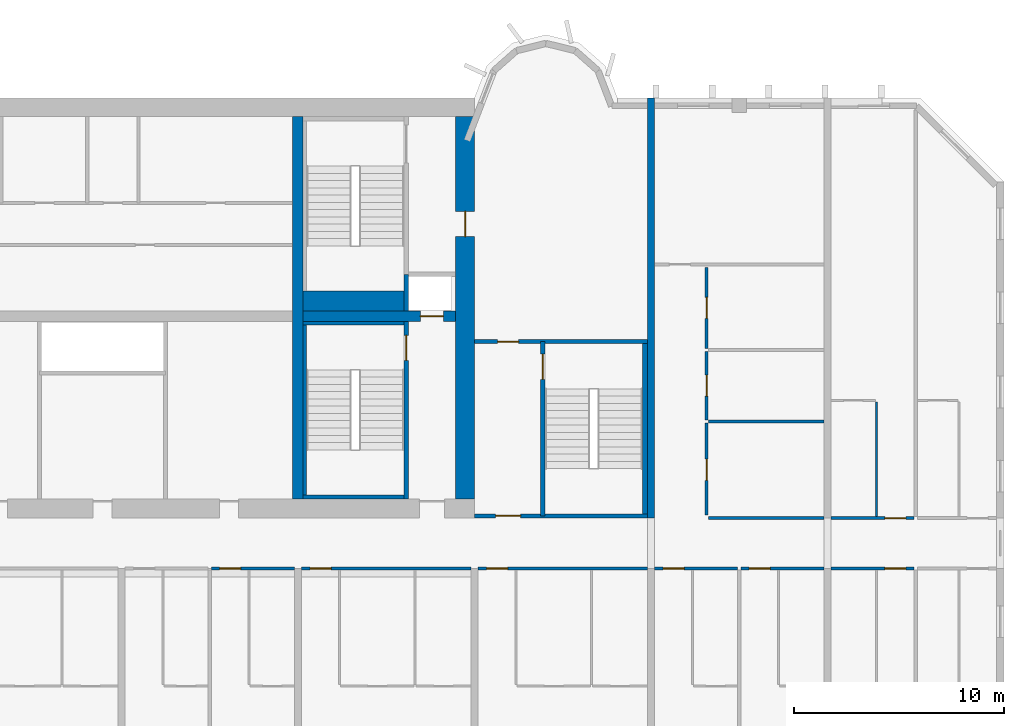
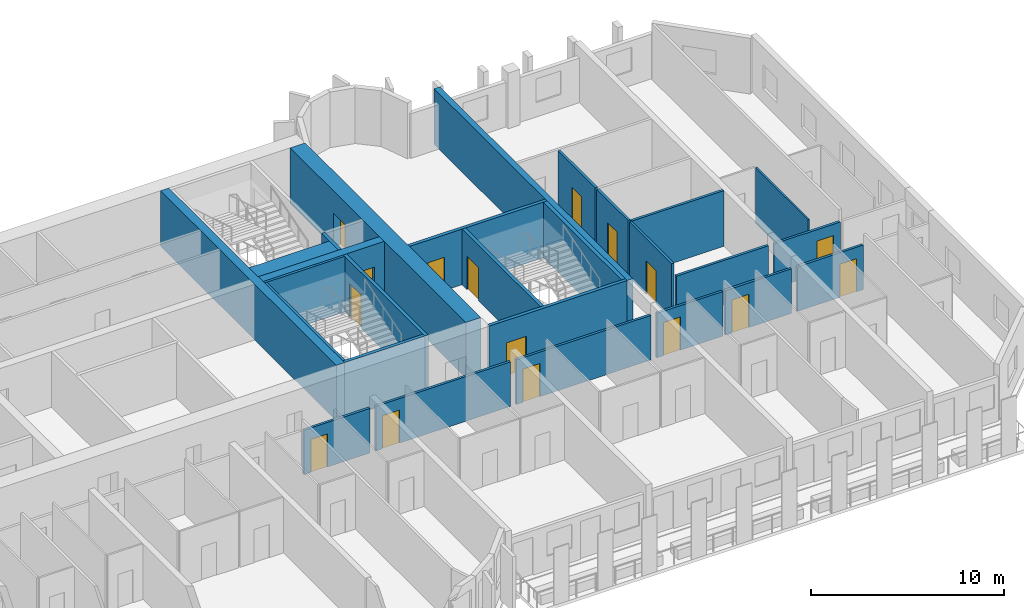
# One storey, part 9 of 14: 27 walls, 16 doors, 16 openings.
"""IFC4 building model written with IfcOpenShell, lengths in metres."""

from ifc_helpers import new_model, si_unit, direction, frame, frame_2d, origin, place, context, subcontext, project, spatial, rectangle, extrude, source, transform, mapped, material, layer, layer_set, type_object, element, fill, save


model = new_model("IFC4")

# Units and contexts
model_context = context("Model", 3, precision=1e-05, world=origin(), true_north=direction((0.0, 1.0)))
body_context = subcontext(model_context, "Body", "Model", "MODEL_VIEW")
ifc_project = project(units=[si_unit("LENGTHUNIT", "METRE"), si_unit("AREAUNIT", "SQUARE_METRE"), si_unit("VOLUMEUNIT", "CUBIC_METRE"), si_unit("PLANEANGLEUNIT", "RADIAN"), si_unit("MASSUNIT", "GRAM", prefix="KILO")], contexts=[model_context])

# Site, building, storey
site_placement = place(None, origin())
site = spatial("IfcSite", under=ifc_project, at=site_placement, CompositionType="ELEMENT")
building_placement = place(site_placement, origin())
building = spatial("IfcBuilding", under=site, at=building_placement, Name="Vanashikhar Sky Hotel", CompositionType="ELEMENT")
storey_placement = place(building_placement, frame((0.0, 0.0, 102.800048828125)))
storey = spatial("IfcBuildingStorey", under=building, at=storey_placement, Name="L24", CompositionType="ELEMENT", Elevation=102.800048828125)

# Wall, opening, door
ifc_material_1 = material(Name="Concrete M70", Category="concrete")
ifc_layer_1 = layer(ifc_material_1, 0.89990234375)
ifc_layer_set_1 = layer_set([ifc_layer_1], Name="RC core shell wall 900 Concrete M70")
wall_type_1 = type_object("IfcWallType", Name="RC core shell wall 900 Concrete M70", PredefinedType="SHEAR", material=ifc_layer_set_1)
shared_shape_1 = source(origin(), body_context, "Body", "SweptSolid", [
    extrude(rectangle(XDim=18.2001953125, YDim=0.89990234375, at=frame_2d((9.10009765625, 0.0))), origin(), (0.0, 0.0, 1.0), 3.52001953125),
])
wall_1_placement = place(storey_placement, frame((75.14990234375, 22.89990234375, 0.0), z_axis=(0.0, 0.0, 1.0), x_axis=(0.0, 1.0, 0.0)))
wall_1 = element("IfcWall", 1, at=wall_1_placement, inside=storey, type_object=wall_type_1, Name="KW-L24-KE", PredefinedType="SHEAR", context=body_context, shape_type="MappedRepresentation", body=[
    mapped(shared_shape_1, transform((0.0, 0.0, 0.0), scale=1.0)),
])
shared_shape_2 = source(origin(), body_context, "Body", "SweptSolid", [
    extrude(rectangle(XDim=1.199951171875, YDim=2.10009765625, at=frame_2d((0.60009765625, 1.050048828125))), frame((0.0, 0.4599609375, 0.0), z_axis=(0.0, -1.0, 0.0), x_axis=(1.0, 0.0, 0.0)), (0.0, 0.0, 1.0), 0.919921875),
])
opening_1_placement = place(wall_1_placement, frame((12.5, 0.0, 0.0)))
opening_1 = element("IfcOpeningElement", 2, at=opening_1_placement, cuts=wall_1, Name="Opening DC-4-D", PredefinedType="OPENING", context=body_context, shape_type="MappedRepresentation", body=[
    mapped(shared_shape_2, transform((0.0, 0.0, 0.0), scale=1.0)),
])
ifc_material_2 = material(Name="Steel", Category="steel")
door_type_1 = type_object("IfcDoorType", Name="Service door 1200 FD120", OperationType="NOTDEFINED", PredefinedType="DOOR", material=ifc_material_2)
shared_shape_3 = source(origin(), body_context, "Body", "SweptSolid", [
    extrude(rectangle(XDim=1.199951171875, YDim=2.10009765625, at=frame_2d((0.60009765625, 1.050048828125))), frame((0.0, 0.02490234375, 0.0), z_axis=(0.0, -1.0, 0.0), x_axis=(1.0, 0.0, 0.0)), (0.0, 0.0, 1.0), 0.050048828125),
])
door_1_placement = place(opening_1_placement, origin())
door_1 = element("IfcDoor", 3, at=door_1_placement, inside=storey, type_object=door_type_1, Name="Service door 1200 FD120", OperationType="SINGLE_SWING_RIGHT", OverallHeight=2.10009765625, OverallWidth=1.199951171875, PredefinedType="DOOR", context=body_context, shape_type="MappedRepresentation", body=[
    mapped(shared_shape_3, transform((0.0, 0.0, 0.0), scale=1.0)),
])
fill(opening_1, door_1)

# Wall
ifc_layer_2 = layer(ifc_material_1, 0.5)
ifc_layer_set_2 = layer_set([ifc_layer_2], Name="RC core inner wall 500 Concrete M70")
wall_type_2 = type_object("IfcWallType", Name="RC core inner wall 500 Concrete M70", PredefinedType="SHEAR", material=ifc_layer_set_2)
shared_shape_4 = source(origin(), body_context, "Body", "SweptSolid", [
    extrude(rectangle(XDim=18.2001953125, YDim=0.5, at=frame_2d((9.10009765625, 0.0))), origin(), (0.0, 0.0, 1.0), 3.52001953125),
])
wall_2_placement = place(storey_placement, frame((67.199951171875, 22.89990234375, 0.0), z_axis=(0.0, 0.0, 1.0), x_axis=(0.0, 1.0, 0.0)))
element("IfcWall", 4, at=wall_2_placement, inside=storey, type_object=wall_type_2, Name="KW-L24-KX3", PredefinedType="SHEAR", context=body_context, shape_type="MappedRepresentation", body=[
    mapped(shared_shape_4, transform((0.0, 0.0, 0.0), scale=1.0)),
])

# Wall, opening, door
shared_shape_5 = source(origin(), body_context, "Body", "SweptSolid", [
    extrude(rectangle(XDim=7.25, YDim=0.5, at=frame_2d((3.625, 0.0))), origin(), (0.0, 0.0, 1.0), 3.52001953125),
])
wall_3_placement = place(storey_placement, frame((67.449951171875, 31.60009765625, 0.0), z_axis=(0.0, 0.0, 1.0), x_axis=(1.0, 0.0, 0.0)))
wall_3 = element("IfcWall", 5, at=wall_3_placement, inside=storey, type_object=wall_type_2, Name="KW-L24-KY4", PredefinedType="SHEAR", context=body_context, shape_type="MappedRepresentation", body=[
    mapped(shared_shape_5, transform((0.0, 0.0, 0.0), scale=1.0)),
])
shared_shape_6 = source(origin(), body_context, "Body", "SweptSolid", [
    extrude(rectangle(XDim=1.10009765625, YDim=2.10009765625, at=frame_2d((0.550048828125, 1.050048828125))), frame((0.0, 0.260009765625, 0.0), z_axis=(0.0, -1.0, 0.0), x_axis=(1.0, 0.0, 0.0)), (0.0, 0.0, 1.0), 0.52001953125),
])
opening_2_placement = place(wall_3_placement, frame((5.574951171875, 0.0, 0.0)))
opening_2 = element("IfcOpeningElement", 6, at=opening_2_placement, cuts=wall_3, Name="Opening LD", PredefinedType="OPENING", context=body_context, shape_type="MappedRepresentation", body=[
    mapped(shared_shape_6, transform((0.0, 0.0, 0.0), scale=1.0)),
])
ifc_material_3 = material(Name="Stainless steel", Category="steel")
door_type_2 = type_object("IfcDoorType", Name="Lift landing door 1100", OperationType="NOTDEFINED", PredefinedType="DOOR", material=ifc_material_3)
shared_shape_7 = source(origin(), body_context, "Body", "SweptSolid", [
    extrude(rectangle(XDim=1.10009765625, YDim=2.10009765625, at=frame_2d((0.550048828125, 1.050048828125))), frame((0.0, 0.02490234375, 0.0), z_axis=(0.0, -1.0, 0.0), x_axis=(1.0, 0.0, 0.0)), (0.0, 0.0, 1.0), 0.050048828125),
])
door_2_placement = place(opening_2_placement, origin())
door_2 = element("IfcDoor", 7, at=door_2_placement, inside=storey, type_object=door_type_2, Name="Lift landing door 1100", OperationType="SLIDING_TO_RIGHT", OverallHeight=2.10009765625, OverallWidth=1.10009765625, PredefinedType="DOOR", context=body_context, shape_type="MappedRepresentation", body=[
    mapped(shared_shape_7, transform((0.0, 0.0, 0.0), scale=1.0)),
])
fill(opening_2, door_2)

# Wall
ifc_layer_3 = layer(ifc_material_1, 0.35009765625)
ifc_layer_set_3 = layer_set([ifc_layer_3], Name="RC shear wall 350 Concrete M70")
wall_type_3 = type_object("IfcWallType", Name="RC shear wall 350 Concrete M70", PredefinedType="SHEAR", material=ifc_layer_set_3)
shared_shape_8 = source(origin(), body_context, "Body", "SweptSolid", [
    extrude(rectangle(XDim=20.0, YDim=0.35009765625, at=frame_2d((10.0, 0.0))), origin(), (0.0, 0.0, 1.0), 3.52001953125),
])
wall_4_placement = place(storey_placement, frame((84.0, 22.0, 0.0), z_axis=(0.0, 0.0, 1.0), x_axis=(0.0, 1.0, 0.0)))
element("IfcWall", 8, at=wall_4_placement, inside=storey, type_object=wall_type_3, Name="CW-L24-XW11-2", PredefinedType="SHEAR", context=body_context, shape_type="MappedRepresentation", body=[
    mapped(shared_shape_8, transform((0.0, 0.0, 0.0), scale=1.0)),
])

# Wall, opening, door
ifc_material_4 = material(Name="Concrete M50", Category="concrete")
ifc_layer_4 = layer(ifc_material_4, 0.199951171875)
ifc_layer_set_4 = layer_set([ifc_layer_4], Name="Stair wall 200")
wall_type_4 = type_object("IfcWallType", Name="Stair wall 200", PredefinedType="SOLIDWALL", material=ifc_layer_set_4)
shared_shape_9 = source(origin(), body_context, "Body", "SweptSolid", [
    extrude(rectangle(XDim=8.2998046875, YDim=0.199951171875, at=frame_2d((4.14990234375, 0.0))), origin(), (0.0, 0.0, 1.0), 3.52001953125),
])
wall_5_placement = place(storey_placement, frame((78.85009765625, 22.10009765625, 0.0), z_axis=(0.0, 0.0, 1.0), x_axis=(0.0, 1.0, 0.0)))
wall_5 = element("IfcWall", 9, at=wall_5_placement, inside=storey, type_object=wall_type_4, Name="Stair wall 200", PredefinedType="SOLIDWALL", context=body_context, shape_type="MappedRepresentation", body=[
    mapped(shared_shape_9, transform((0.0, 0.0, 0.0), scale=1.0)),
])
shared_shape_10 = source(origin(), body_context, "Body", "SweptSolid", [
    extrude(rectangle(XDim=1.199951171875, YDim=2.10009765625, at=frame_2d((0.60009765625, 1.050048828125))), frame((0.0, 0.10986328125, 0.0), z_axis=(0.0, -1.0, 0.0), x_axis=(1.0, 0.0, 0.0)), (0.0, 0.0, 1.0), 0.219970703125),
])
opening_3_placement = place(wall_5_placement, frame((6.5, 0.0, 0.0)))
opening_3 = element("IfcOpeningElement", 10, at=opening_3_placement, cuts=wall_5, Name="Opening DC-1", PredefinedType="OPENING", context=body_context, shape_type="MappedRepresentation", body=[
    mapped(shared_shape_10, transform((0.0, 0.0, 0.0), scale=1.0)),
])
door_type_3 = type_object("IfcDoorType", Name="Stair door 1200 FD120", OperationType="NOTDEFINED", PredefinedType="DOOR", material=ifc_material_2)
door_3_placement = place(opening_3_placement, origin())
door_3 = element("IfcDoor", 11, at=door_3_placement, inside=storey, type_object=door_type_3, Name="Stair door 1200 FD120", OperationType="SINGLE_SWING_RIGHT", OverallHeight=2.10009765625, OverallWidth=1.199951171875, PredefinedType="DOOR", context=body_context, shape_type="MappedRepresentation", body=[
    mapped(shared_shape_3, transform((0.0, 0.0, 0.0), scale=1.0)),
])
fill(opening_3, door_3)

shared_shape_11 = source(origin(), body_context, "Body", "SweptSolid", [
    extrude(rectangle(XDim=8.4501953125, YDim=0.199951171875, at=frame_2d((4.22509765625, 0.0))), origin(), (0.0, 0.0, 1.0), 3.52001953125),
])
wall_6_placement = place(storey_placement, frame((72.35009765625, 22.89990234375, 0.0), z_axis=(0.0, 0.0, 1.0), x_axis=(0.0, 1.0, 0.0)))
wall_6 = element("IfcWall", 12, at=wall_6_placement, inside=storey, type_object=wall_type_4, Name="Stair wall 200", PredefinedType="SOLIDWALL", context=body_context, shape_type="MappedRepresentation", body=[
    mapped(shared_shape_11, transform((0.0, 0.0, 0.0), scale=1.0)),
])
opening_4_placement = place(wall_6_placement, frame((6.60009765625, 0.0, 0.0)))
opening_4 = element("IfcOpeningElement", 13, at=opening_4_placement, cuts=wall_6, Name="Opening DC-1", PredefinedType="OPENING", context=body_context, shape_type="MappedRepresentation", body=[
    mapped(shared_shape_10, transform((0.0, 0.0, 0.0), scale=1.0)),
])
door_4_placement = place(opening_4_placement, origin())
door_4 = element("IfcDoor", 14, at=door_4_placement, inside=storey, type_object=door_type_3, Name="Stair door 1200 FD120", OperationType="SINGLE_SWING_LEFT", OverallHeight=2.10009765625, OverallWidth=1.199951171875, PredefinedType="DOOR", context=body_context, shape_type="MappedRepresentation", body=[
    mapped(shared_shape_3, transform((0.0, 0.0, 0.0), scale=1.0)),
])
fill(opening_4, door_4)

# Wall
ifc_material_5 = material(Name="Concrete M40", Category="concrete")
ifc_layer_5 = layer(ifc_material_5, 0.199951171875)
ifc_layer_set_5 = layer_set([ifc_layer_5], Name="Shaft wall 200")
wall_type_5 = type_object("IfcWallType", Name="Shaft wall 200", PredefinedType="SOLIDWALL", material=ifc_layer_set_5)
shared_shape_12 = source(origin(), body_context, "Body", "SweptSolid", [
    extrude(rectangle(XDim=1.75, YDim=0.199951171875, at=frame_2d((0.875, 0.0))), origin(), (0.0, 0.0, 1.0), 3.52001953125),
])
wall_7_placement = place(storey_placement, frame((72.35009765625, 31.85009765625, 0.0), z_axis=(0.0, 0.0, 1.0), x_axis=(0.0, 1.0, 0.0)))
element("IfcWall", 15, at=wall_7_placement, inside=storey, type_object=wall_type_5, Name="Shaft wall 200", PredefinedType="SOLIDWALL", context=body_context, shape_type="MappedRepresentation", body=[
    mapped(shared_shape_12, transform((0.0, 0.0, 0.0), scale=1.0)),
])

# Wall, opening, door
shared_shape_13 = source(origin(), body_context, "Body", "SweptSolid", [
    extrude(rectangle(XDim=8.224853515625, YDim=0.199951171875, at=frame_2d((4.1123046875, 0.0))), origin(), (0.0, 0.0, 1.0), 3.52001953125),
])
wall_8_placement = place(storey_placement, frame((83.824951171875, 22.10009765625, 0.0), z_axis=(0.0, 0.0, 1.0), x_axis=(-1.0, 0.0, 0.0)))
wall_8 = element("IfcWall", 16, at=wall_8_placement, inside=storey, type_object=wall_type_4, Name="Stair wall 200", PredefinedType="SOLIDWALL", context=body_context, shape_type="MappedRepresentation", body=[
    mapped(shared_shape_13, transform((0.0, 0.0, 0.0), scale=1.0)),
])
opening_5_placement = place(wall_8_placement, frame((6.02490234375, 0.0, 0.0)))
opening_5 = element("IfcOpeningElement", 17, at=opening_5_placement, cuts=wall_8, Name="Opening DC-2", PredefinedType="OPENING", context=body_context, shape_type="MappedRepresentation", body=[
    mapped(shared_shape_10, transform((0.0, 0.0, 0.0), scale=1.0)),
])
door_type_4 = type_object("IfcDoorType", Name="Firefighting lobby door 1200 FD120", OperationType="NOTDEFINED", PredefinedType="DOOR", material=ifc_material_2)
door_5_placement = place(opening_5_placement, origin())
door_5 = element("IfcDoor", 18, at=door_5_placement, inside=storey, type_object=door_type_4, Name="Firefighting lobby door 1200 FD120", OperationType="SINGLE_SWING_RIGHT", OverallHeight=2.10009765625, OverallWidth=1.199951171875, PredefinedType="DOOR", context=body_context, shape_type="MappedRepresentation", body=[
    mapped(shared_shape_3, transform((0.0, 0.0, 0.0), scale=1.0)),
])
fill(opening_5, door_5)

wall_9_placement = place(storey_placement, frame((83.824951171875, 30.39990234375, 0.0), z_axis=(0.0, 0.0, 1.0), x_axis=(-1.0, 0.0, 0.0)))
wall_9 = element("IfcWall", 19, at=wall_9_placement, inside=storey, type_object=wall_type_4, Name="Stair wall 200", PredefinedType="SOLIDWALL", context=body_context, shape_type="MappedRepresentation", body=[
    mapped(shared_shape_13, transform((0.0, 0.0, 0.0), scale=1.0)),
])
shared_shape_14 = source(origin(), body_context, "Body", "SweptSolid", [
    extrude(rectangle(XDim=1.0, YDim=2.10009765625, at=frame_2d((0.5, 1.050048828125))), frame((0.0, 0.10986328125, 0.0), z_axis=(0.0, -1.0, 0.0), x_axis=(1.0, 0.0, 0.0)), (0.0, 0.0, 1.0), 0.219970703125),
])
opening_6_placement = place(wall_9_placement, frame((6.125, 0.0, 0.0)))
opening_6 = element("IfcOpeningElement", 20, at=opening_6_placement, cuts=wall_9, Name="Opening DC-6", PredefinedType="OPENING", context=body_context, shape_type="MappedRepresentation", body=[
    mapped(shared_shape_14, transform((0.0, 0.0, 0.0), scale=1.0)),
])
door_type_5 = type_object("IfcDoorType", Name="Pocket door 1000 FD60", OperationType="NOTDEFINED", PredefinedType="DOOR", material=ifc_material_2)
shared_shape_15 = source(origin(), body_context, "Body", "SweptSolid", [
    extrude(rectangle(XDim=1.0, YDim=2.10009765625, at=frame_2d((0.5, 1.050048828125))), frame((0.0, 0.02490234375, 0.0), z_axis=(0.0, -1.0, 0.0), x_axis=(1.0, 0.0, 0.0)), (0.0, 0.0, 1.0), 0.050048828125),
])
door_6_placement = place(opening_6_placement, origin())
door_6 = element("IfcDoor", 21, at=door_6_placement, inside=storey, type_object=door_type_5, Name="Pocket door 1000 FD60", OperationType="SINGLE_SWING_RIGHT", OverallHeight=2.10009765625, OverallWidth=1.0, PredefinedType="DOOR", context=body_context, shape_type="MappedRepresentation", body=[
    mapped(shared_shape_15, transform((0.0, 0.0, 0.0), scale=1.0)),
])
fill(opening_6, door_6)

# Walls
ifc_layer_6 = layer(ifc_material_4, 0.199951171875)
ifc_layer_set_6 = layer_set([ifc_layer_6], Name="Stair infill wall 200")
wall_type_6 = type_object("IfcWallType", Name="Stair infill wall 200", PredefinedType="SOLIDWALL", material=ifc_layer_set_6)
shared_shape_16 = source(origin(), body_context, "Body", "SweptSolid", [
    extrude(rectangle(XDim=4.800048828125, YDim=0.199951171875, at=frame_2d((2.39990234375, 0.0))), origin(), (0.0, 0.0, 1.0), 3.52001953125),
])
wall_10_placement = place(storey_placement, frame((67.449951171875, 23.0, 0.0), z_axis=(0.0, 0.0, 1.0), x_axis=(1.0, 0.0, 0.0)))
element("IfcWall", 22, at=wall_10_placement, inside=storey, type_object=wall_type_6, Name="Stair infill wall 200", PredefinedType="SOLIDWALL", context=body_context, shape_type="MappedRepresentation", body=[
    mapped(shared_shape_16, transform((0.0, 0.0, 0.0), scale=1.0)),
])
ifc_layer_7 = layer(ifc_material_4, 0.14990234375)
ifc_layer_set_7 = layer_set([ifc_layer_7], Name="Stair infill wall 150")
wall_type_7 = type_object("IfcWallType", Name="Stair infill wall 150", PredefinedType="SOLIDWALL", material=ifc_layer_set_7)
shared_shape_17 = source(origin(), body_context, "Body", "SweptSolid", [
    extrude(rectangle(XDim=4.800048828125, YDim=0.14990234375, at=frame_2d((2.39990234375, 0.0))), origin(), (0.0, 0.0, 1.0), 3.52001953125),
])
wall_11_placement = place(storey_placement, frame((67.449951171875, 31.27490234375, 0.0), z_axis=(0.0, 0.0, 1.0), x_axis=(1.0, 0.0, 0.0)))
element("IfcWall", 23, at=wall_11_placement, inside=storey, type_object=wall_type_7, Name="Stair infill wall 150", PredefinedType="SOLIDWALL", context=body_context, shape_type="MappedRepresentation", body=[
    mapped(shared_shape_17, transform((0.0, 0.0, 0.0), scale=1.0)),
])
shared_shape_18 = source(origin(), body_context, "Body", "SweptSolid", [
    extrude(rectangle(XDim=8.099853515625, YDim=0.14990234375, at=frame_2d((4.0498046875, 0.0))), origin(), (0.0, 0.0, 1.0), 3.52001953125),
])
wall_12_placement = place(storey_placement, frame((67.52490234375, 23.10009765625, 0.0), z_axis=(0.0, 0.0, 1.0), x_axis=(0.0, 1.0, 0.0)))
element("IfcWall", 24, at=wall_12_placement, inside=storey, type_object=wall_type_7, Name="Stair infill wall 150", PredefinedType="SOLIDWALL", context=body_context, shape_type="MappedRepresentation", body=[
    mapped(shared_shape_18, transform((0.0, 0.0, 0.0), scale=1.0)),
])
ifc_layer_8 = layer(ifc_material_4, 0.22509765625)
ifc_layer_set_8 = layer_set([ifc_layer_8], Name="Stair infill wall 225")
wall_type_8 = type_object("IfcWallType", Name="Stair infill wall 225", PredefinedType="SOLIDWALL", material=ifc_layer_set_8)
shared_shape_19 = source(origin(), body_context, "Body", "SweptSolid", [
    extrude(rectangle(XDim=8.10009765625, YDim=0.22509765625, at=frame_2d((4.050048828125, 0.0))), origin(), (0.0, 0.0, 1.0), 3.52001953125),
])
wall_13_placement = place(storey_placement, frame((83.712890625, 22.199951171875, 0.0), z_axis=(0.0, 0.0, 1.0), x_axis=(0.0, 1.0, 0.0)))
element("IfcWall", 25, at=wall_13_placement, inside=storey, type_object=wall_type_8, Name="Stair infill wall 225", PredefinedType="SOLIDWALL", context=body_context, shape_type="MappedRepresentation", body=[
    mapped(shared_shape_19, transform((0.0, 0.0, 0.0), scale=1.0)),
])
ifc_layer_9 = layer(ifc_material_4, 0.949951171875)
ifc_layer_set_9 = layer_set([ifc_layer_9], Name="Stair infill wall 950")
wall_type_9 = type_object("IfcWallType", Name="Stair infill wall 950", PredefinedType="SOLIDWALL", material=ifc_layer_set_9)
shared_shape_20 = source(origin(), body_context, "Body", "SweptSolid", [
    extrude(rectangle(XDim=4.800048828125, YDim=0.949951171875, at=frame_2d((2.39990234375, 0.0))), origin(), (0.0, 0.0, 1.0), 3.52001953125),
])
wall_14_placement = place(storey_placement, frame((67.449951171875, 32.324951171875, 0.0), z_axis=(0.0, 0.0, 1.0), x_axis=(1.0, 0.0, 0.0)))
element("IfcWall", 26, at=wall_14_placement, inside=storey, type_object=wall_type_9, Name="Stair infill wall 950", PredefinedType="SOLIDWALL", context=body_context, shape_type="MappedRepresentation", body=[
    mapped(shared_shape_20, transform((0.0, 0.0, 0.0), scale=1.0)),
])

# Wall, opening, door
ifc_material_6 = material(Name="Gypsum plasterboard partition")
ifc_layer_10 = layer(ifc_material_6, 0.14990234375)
ifc_layer_set_10 = layer_set([ifc_layer_10], Name="Corridor and demising partition 150")
wall_type_10 = type_object("IfcWallType", Name="Corridor and demising partition 150", PredefinedType="PARTITIONING", material=ifc_layer_set_10)
shared_shape_21 = source(origin(), body_context, "Body", "SweptSolid", [
    extrude(rectangle(XDim=4.375, YDim=0.14990234375, at=frame_2d((2.1875, 0.0))), origin(), (0.0, 0.0, 1.0), 3.52001953125),
])
wall_15_placement = place(storey_placement, frame((86.64990234375, 22.14990234375, 0.0), z_axis=(0.0, 0.0, 1.0), x_axis=(0.0, 1.0, 0.0)))
wall_15 = element("IfcWall", 27, at=wall_15_placement, inside=storey, type_object=wall_type_10, Name="W-L24-PW096", PredefinedType="PARTITIONING", context=body_context, shape_type="MappedRepresentation", body=[
    mapped(shared_shape_21, transform((0.0, 0.0, 0.0), scale=1.0)),
])
shared_shape_22 = source(origin(), body_context, "Body", "SweptSolid", [
    extrude(rectangle(XDim=1.0, YDim=2.10009765625, at=frame_2d((0.5, 1.050048828125))), frame((0.0, 0.0849609375, 0.0), z_axis=(0.0, -1.0, 0.0), x_axis=(1.0, 0.0, 0.0)), (0.0, 0.0, 1.0), 0.169921875),
])
opening_7_placement = place(wall_15_placement, frame((1.64990234375, 0.0, 0.0)))
opening_7 = element("IfcOpeningElement", 28, at=opening_7_placement, cuts=wall_15, Name="Opening D-01", PredefinedType="OPENING", context=body_context, shape_type="MappedRepresentation", body=[
    mapped(shared_shape_22, transform((0.0, 0.0, 0.0), scale=1.0)),
])
ifc_material_7 = material(Name="Timber fire door", Category="wood")
door_type_6 = type_object("IfcDoorType", Name="Guest entry door 1000 FD30S", OperationType="NOTDEFINED", PredefinedType="DOOR", material=ifc_material_7)
door_7_placement = place(opening_7_placement, origin())
door_7 = element("IfcDoor", 29, at=door_7_placement, inside=storey, type_object=door_type_6, Name="D-L24-054", OperationType="SINGLE_SWING_LEFT", OverallHeight=2.10009765625, OverallWidth=1.0, PredefinedType="DOOR", context=body_context, shape_type="MappedRepresentation", body=[
    mapped(shared_shape_15, transform((0.0, 0.0, 0.0), scale=1.0)),
])
fill(opening_7, door_7)

shared_shape_23 = source(origin(), body_context, "Body", "SweptSolid", [
    extrude(rectangle(XDim=3.25, YDim=0.14990234375, at=frame_2d((1.625, 0.0))), origin(), (0.0, 0.0, 1.0), 3.52001953125),
])
wall_16_placement = place(storey_placement, frame((86.64990234375, 26.675048828125, 0.0), z_axis=(0.0, 0.0, 1.0), x_axis=(0.0, 1.0, 0.0)))
wall_16 = element("IfcWall", 30, at=wall_16_placement, inside=storey, type_object=wall_type_10, Name="W-L24-PW098", PredefinedType="PARTITIONING", context=body_context, shape_type="MappedRepresentation", body=[
    mapped(shared_shape_23, transform((0.0, 0.0, 0.0), scale=1.0)),
])
opening_8_placement = place(wall_16_placement, frame((1.125, 0.0, 0.0)))
opening_8 = element("IfcOpeningElement", 31, at=opening_8_placement, cuts=wall_16, Name="Opening D-01", PredefinedType="OPENING", context=body_context, shape_type="MappedRepresentation", body=[
    mapped(shared_shape_22, transform((0.0, 0.0, 0.0), scale=1.0)),
])
door_8_placement = place(opening_8_placement, origin())
door_8 = element("IfcDoor", 32, at=door_8_placement, inside=storey, type_object=door_type_6, Name="D-L24-055", OperationType="SINGLE_SWING_LEFT", OverallHeight=2.10009765625, OverallWidth=1.0, PredefinedType="DOOR", context=body_context, shape_type="MappedRepresentation", body=[
    mapped(shared_shape_15, transform((0.0, 0.0, 0.0), scale=1.0)),
])
fill(opening_8, door_8)

shared_shape_24 = source(origin(), body_context, "Body", "SweptSolid", [
    extrude(rectangle(XDim=3.85009765625, YDim=0.14990234375, at=frame_2d((1.925048828125, 0.0))), origin(), (0.0, 0.0, 1.0), 3.52001953125),
])
wall_17_placement = place(storey_placement, frame((86.64990234375, 30.074951171875, 0.0), z_axis=(0.0, 0.0, 1.0), x_axis=(0.0, 1.0, 0.0)))
wall_17 = element("IfcWall", 33, at=wall_17_placement, inside=storey, type_object=wall_type_10, Name="W-L24-PW100", PredefinedType="PARTITIONING", context=body_context, shape_type="MappedRepresentation", body=[
    mapped(shared_shape_24, transform((0.0, 0.0, 0.0), scale=1.0)),
])
opening_9_placement = place(wall_17_placement, frame((1.425048828125, 0.0, 0.0)))
opening_9 = element("IfcOpeningElement", 34, at=opening_9_placement, cuts=wall_17, Name="Opening D-01", PredefinedType="OPENING", context=body_context, shape_type="MappedRepresentation", body=[
    mapped(shared_shape_22, transform((0.0, 0.0, 0.0), scale=1.0)),
])
door_9_placement = place(opening_9_placement, origin())
door_9 = element("IfcDoor", 35, at=door_9_placement, inside=storey, type_object=door_type_6, Name="D-L24-056", OperationType="SINGLE_SWING_LEFT", OverallHeight=2.10009765625, OverallWidth=1.0, PredefinedType="DOOR", context=body_context, shape_type="MappedRepresentation", body=[
    mapped(shared_shape_15, transform((0.0, 0.0, 0.0), scale=1.0)),
])
fill(opening_9, door_9)

# Wall
ifc_layer_11 = layer(ifc_material_6, 0.10009765625)
ifc_layer_set_11 = layer_set([ifc_layer_11], Name="Wet room partition 100")
wall_type_11 = type_object("IfcWallType", Name="Wet room partition 100", PredefinedType="PARTITIONING", material=ifc_layer_set_11)
shared_shape_25 = source(origin(), body_context, "Body", "SweptSolid", [
    extrude(rectangle(XDim=5.449951171875, YDim=0.10009765625, at=frame_2d((2.72509765625, 0.0))), origin(), (0.0, 0.0, 1.0), 3.52001953125),
])
wall_18_placement = place(storey_placement, frame((94.72509765625, 22.074951171875, 0.0), z_axis=(0.0, 0.0, 1.0), x_axis=(0.0, 1.0, 0.0)))
element("IfcWall", 36, at=wall_18_placement, inside=storey, type_object=wall_type_11, Name="W-L24-PW102", PredefinedType="PARTITIONING", context=body_context, shape_type="MappedRepresentation", body=[
    mapped(shared_shape_25, transform((0.0, 0.0, 0.0), scale=1.0)),
])

# Wall, opening, door
shared_shape_26 = source(origin(), body_context, "Body", "SweptSolid", [
    extrude(rectangle(XDim=3.9501953125, YDim=0.14990234375, at=frame_2d((1.97509765625, 0.0))), origin(), (0.0, 0.0, 1.0), 2.820068359375),
])
wall_19_placement = place(storey_placement, frame((88.27490234375, 19.60009765625, 0.0), z_axis=(0.0, 0.0, 1.0), x_axis=(1.0, 0.0, 0.0)))
wall_19 = element("IfcWall", 37, at=wall_19_placement, inside=storey, type_object=wall_type_10, Name="W-L24-PW070", PredefinedType="PARTITIONING", context=body_context, shape_type="MappedRepresentation", body=[
    mapped(shared_shape_26, transform((0.0, 0.0, 0.0), scale=1.0)),
])
opening_10_placement = place(wall_19_placement, frame((0.39990234375, 0.0, 0.0)))
opening_10 = element("IfcOpeningElement", 38, at=opening_10_placement, cuts=wall_19, Name="Opening D-01", PredefinedType="OPENING", context=body_context, shape_type="MappedRepresentation", body=[
    mapped(shared_shape_22, transform((0.0, 0.0, 0.0), scale=1.0)),
])
door_10_placement = place(opening_10_placement, origin())
door_10 = element("IfcDoor", 39, at=door_10_placement, inside=storey, type_object=door_type_6, Name="D-L24-041", OperationType="SINGLE_SWING_LEFT", OverallHeight=2.10009765625, OverallWidth=1.0, PredefinedType="DOOR", context=body_context, shape_type="MappedRepresentation", body=[
    mapped(shared_shape_15, transform((0.0, 0.0, 0.0), scale=1.0)),
])
fill(opening_10, door_10)

shared_shape_27 = source(origin(), body_context, "Body", "SweptSolid", [
    extrude(rectangle(XDim=8.050048828125, YDim=0.14990234375, at=frame_2d((4.02490234375, 0.0))), origin(), (0.0, 0.0, 1.0), 2.820068359375),
])
wall_20_placement = place(storey_placement, frame((67.375, 19.60009765625, 0.0), z_axis=(0.0, 0.0, 1.0), x_axis=(1.0, 0.0, 0.0)))
wall_20 = element("IfcWall", 40, at=wall_20_placement, inside=storey, type_object=wall_type_10, Name="W-L24-PW059", PredefinedType="PARTITIONING", context=body_context, shape_type="MappedRepresentation", body=[
    mapped(shared_shape_27, transform((0.0, 0.0, 0.0), scale=1.0)),
])
opening_11_placement = place(wall_20_placement, frame((0.39990234375, 0.0, 0.0)))
opening_11 = element("IfcOpeningElement", 41, at=opening_11_placement, cuts=wall_20, Name="Opening D-01", PredefinedType="OPENING", context=body_context, shape_type="MappedRepresentation", body=[
    mapped(shared_shape_22, transform((0.0, 0.0, 0.0), scale=1.0)),
])
door_11_placement = place(opening_11_placement, origin())
door_11 = element("IfcDoor", 42, at=door_11_placement, inside=storey, type_object=door_type_6, Name="D-L24-034", OperationType="SINGLE_SWING_LEFT", OverallHeight=2.10009765625, OverallWidth=1.0, PredefinedType="DOOR", context=body_context, shape_type="MappedRepresentation", body=[
    mapped(shared_shape_15, transform((0.0, 0.0, 0.0), scale=1.0)),
])
fill(opening_11, door_11)

wall_21_placement = place(storey_placement, frame((75.77490234375, 19.60009765625, 0.0), z_axis=(0.0, 0.0, 1.0), x_axis=(1.0, 0.0, 0.0)))
wall_21 = element("IfcWall", 43, at=wall_21_placement, inside=storey, type_object=wall_type_10, Name="W-L24-PW064", PredefinedType="PARTITIONING", context=body_context, shape_type="MappedRepresentation", body=[
    mapped(shared_shape_27, transform((0.0, 0.0, 0.0), scale=1.0)),
])
opening_12_placement = place(wall_21_placement, frame((0.39990234375, 0.0, 0.0)))
opening_12 = element("IfcOpeningElement", 44, at=opening_12_placement, cuts=wall_21, Name="Opening D-01", PredefinedType="OPENING", context=body_context, shape_type="MappedRepresentation", body=[
    mapped(shared_shape_22, transform((0.0, 0.0, 0.0), scale=1.0)),
])
door_12_placement = place(opening_12_placement, origin())
door_12 = element("IfcDoor", 45, at=door_12_placement, inside=storey, type_object=door_type_6, Name="D-L24-037", OperationType="SINGLE_SWING_LEFT", OverallHeight=2.10009765625, OverallWidth=1.0, PredefinedType="DOOR", context=body_context, shape_type="MappedRepresentation", body=[
    mapped(shared_shape_15, transform((0.0, 0.0, 0.0), scale=1.0)),
])
fill(opening_12, door_12)

shared_shape_28 = source(origin(), body_context, "Body", "SweptSolid", [
    extrude(rectangle(XDim=3.949951171875, YDim=0.14990234375, at=frame_2d((1.97509765625, 0.0))), origin(), (0.0, 0.0, 1.0), 2.820068359375),
])
wall_22_placement = place(storey_placement, frame((63.074951171875, 19.60009765625, 0.0), z_axis=(0.0, 0.0, 1.0), x_axis=(1.0, 0.0, 0.0)))
wall_22 = element("IfcWall", 46, at=wall_22_placement, inside=storey, type_object=wall_type_10, Name="W-L24-PW053", PredefinedType="PARTITIONING", context=body_context, shape_type="MappedRepresentation", body=[
    mapped(shared_shape_28, transform((0.0, 0.0, 0.0), scale=1.0)),
])
opening_13_placement = place(wall_22_placement, frame((0.39990234375, 0.0, 0.0)))
opening_13 = element("IfcOpeningElement", 47, at=opening_13_placement, cuts=wall_22, Name="Opening D-01", PredefinedType="OPENING", context=body_context, shape_type="MappedRepresentation", body=[
    mapped(shared_shape_22, transform((0.0, 0.0, 0.0), scale=1.0)),
])
door_13_placement = place(opening_13_placement, origin())
door_13 = element("IfcDoor", 48, at=door_13_placement, inside=storey, type_object=door_type_6, Name="D-L24-031", OperationType="SINGLE_SWING_LEFT", OverallHeight=2.10009765625, OverallWidth=1.0, PredefinedType="DOOR", context=body_context, shape_type="MappedRepresentation", body=[
    mapped(shared_shape_15, transform((0.0, 0.0, 0.0), scale=1.0)),
])
fill(opening_13, door_13)

wall_23_placement = place(storey_placement, frame((84.175048828125, 19.60009765625, 0.0), z_axis=(0.0, 0.0, 1.0), x_axis=(1.0, 0.0, 0.0)))
wall_23 = element("IfcWall", 49, at=wall_23_placement, inside=storey, type_object=wall_type_10, Name="W-L24-PW067", PredefinedType="PARTITIONING", context=body_context, shape_type="MappedRepresentation", body=[
    mapped(shared_shape_28, transform((0.0, 0.0, 0.0), scale=1.0)),
])
opening_14_placement = place(wall_23_placement, frame((0.39990234375, 0.0, 0.0)))
opening_14 = element("IfcOpeningElement", 50, at=opening_14_placement, cuts=wall_23, Name="Opening D-01", PredefinedType="OPENING", context=body_context, shape_type="MappedRepresentation", body=[
    mapped(shared_shape_22, transform((0.0, 0.0, 0.0), scale=1.0)),
])
door_14_placement = place(opening_14_placement, origin())
door_14 = element("IfcDoor", 51, at=door_14_placement, inside=storey, type_object=door_type_6, Name="D-L24-039", OperationType="SINGLE_SWING_LEFT", OverallHeight=2.10009765625, OverallWidth=1.0, PredefinedType="DOOR", context=body_context, shape_type="MappedRepresentation", body=[
    mapped(shared_shape_15, transform((0.0, 0.0, 0.0), scale=1.0)),
])
fill(opening_14, door_14)

wall_24_placement = place(storey_placement, frame((92.574951171875, 19.60009765625, 0.0), z_axis=(0.0, 0.0, 1.0), x_axis=(1.0, 0.0, 0.0)))
wall_24 = element("IfcWall", 52, at=wall_24_placement, inside=storey, type_object=wall_type_10, Name="W-L24-PW074", PredefinedType="PARTITIONING", context=body_context, shape_type="MappedRepresentation", body=[
    mapped(shared_shape_28, transform((0.0, 0.0, 0.0), scale=1.0)),
])
opening_15_placement = place(wall_24_placement, frame((2.550048828125, 0.0, 0.0)))
opening_15 = element("IfcOpeningElement", 53, at=opening_15_placement, cuts=wall_24, Name="Opening D-01", PredefinedType="OPENING", context=body_context, shape_type="MappedRepresentation", body=[
    mapped(shared_shape_22, transform((0.0, 0.0, 0.0), scale=1.0)),
])
door_15_placement = place(opening_15_placement, origin())
door_15 = element("IfcDoor", 54, at=door_15_placement, inside=storey, type_object=door_type_6, Name="D-L24-043", OperationType="SINGLE_SWING_RIGHT", OverallHeight=2.10009765625, OverallWidth=1.0, PredefinedType="DOOR", context=body_context, shape_type="MappedRepresentation", body=[
    mapped(shared_shape_15, transform((0.0, 0.0, 0.0), scale=1.0)),
])
fill(opening_15, door_15)

wall_25_placement = place(storey_placement, frame((92.574951171875, 22.0, 0.0), z_axis=(0.0, 0.0, 1.0), x_axis=(1.0, 0.0, 0.0)))
wall_25 = element("IfcWall", 55, at=wall_25_placement, inside=storey, type_object=wall_type_10, Name="W-L24-PW104", PredefinedType="PARTITIONING", context=body_context, shape_type="MappedRepresentation", body=[
    mapped(shared_shape_28, transform((0.0, 0.0, 0.0), scale=1.0)),
])
opening_16_placement = place(wall_25_placement, frame((2.550048828125, 0.0, 0.0)))
opening_16 = element("IfcOpeningElement", 56, at=opening_16_placement, cuts=wall_25, Name="Opening D-01", PredefinedType="OPENING", context=body_context, shape_type="MappedRepresentation", body=[
    mapped(shared_shape_22, transform((0.0, 0.0, 0.0), scale=1.0)),
])
door_16_placement = place(opening_16_placement, origin())
door_16 = element("IfcDoor", 57, at=door_16_placement, inside=storey, type_object=door_type_6, Name="D-L24-059", OperationType="SINGLE_SWING_RIGHT", OverallHeight=2.10009765625, OverallWidth=1.0, PredefinedType="DOOR", context=body_context, shape_type="MappedRepresentation", body=[
    mapped(shared_shape_15, transform((0.0, 0.0, 0.0), scale=1.0)),
])
fill(opening_16, door_16)

# Walls
shared_shape_29 = source(origin(), body_context, "Body", "SweptSolid", [
    extrude(rectangle(XDim=5.5, YDim=0.14990234375, at=frame_2d((2.75, 0.0))), origin(), (0.0, 0.0, 1.0), 2.820068359375),
])
wall_26_placement = place(storey_placement, frame((86.72509765625, 22.0, 0.0), z_axis=(0.0, 0.0, 1.0), x_axis=(1.0, 0.0, 0.0)))
element("IfcWall", 58, at=wall_26_placement, inside=storey, type_object=wall_type_10, Name="W-L24-PW095", PredefinedType="PARTITIONING", context=body_context, shape_type="MappedRepresentation", body=[
    mapped(shared_shape_29, transform((0.0, 0.0, 0.0), scale=1.0)),
])
shared_shape_30 = source(origin(), body_context, "Body", "SweptSolid", [
    extrude(rectangle(XDim=5.5, YDim=0.14990234375, at=frame_2d((2.75, 0.0))), origin(), (0.0, 0.0, 1.0), 3.52001953125),
])
wall_27_placement = place(storey_placement, frame((86.72509765625, 26.60009765625, 0.0), z_axis=(0.0, 0.0, 1.0), x_axis=(1.0, 0.0, 0.0)))
element("IfcWall", 59, at=wall_27_placement, inside=storey, type_object=wall_type_10, Name="W-L24-PW097", PredefinedType="PARTITIONING", context=body_context, shape_type="MappedRepresentation", body=[
    mapped(shared_shape_30, transform((0.0, 0.0, 0.0), scale=1.0)),
])

save(model, "model.ifc")
